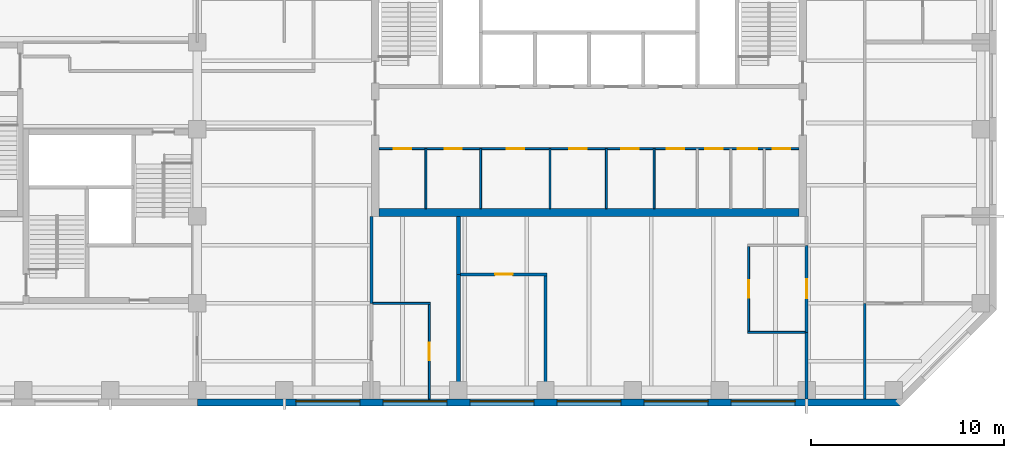
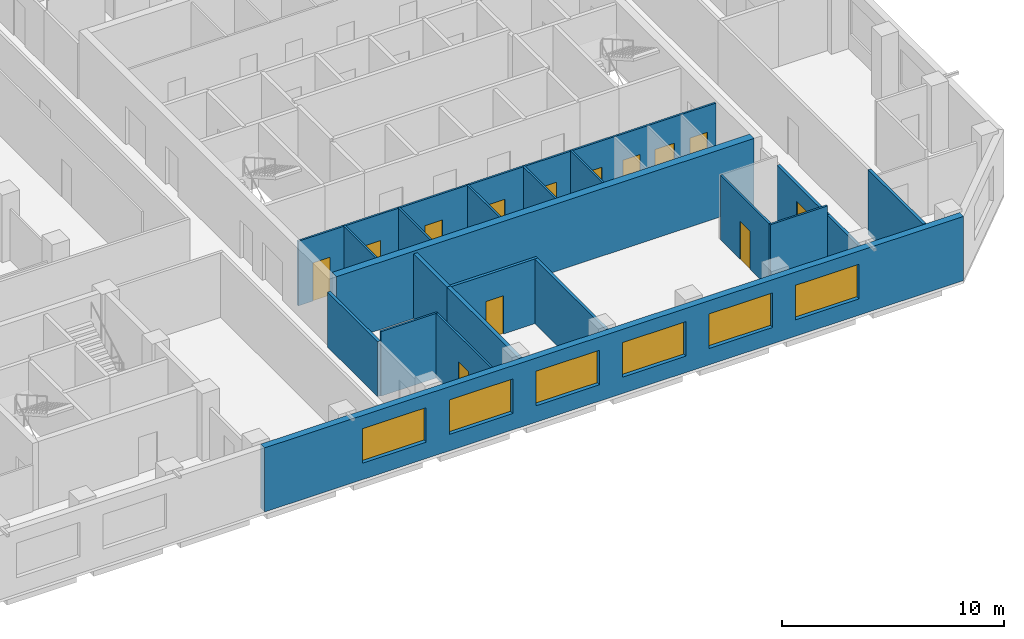
# One storey, part 4 of 9: 20 walls, 13 doors, 6 windows, 19 openings.
"""IFC4 building model written with IfcOpenShell, lengths in metres."""

from ifc_helpers import new_model, si_unit, direction, frame, frame_2d, origin, place, context, subcontext, project, spatial, rectangle, extrude, material, layer, layer_set, constituent, constituent_set, type_object, element, fill, save


model = new_model("IFC4")

# Units and contexts
model_context = context("Model", 3, precision=1e-05, world=origin(), true_north=direction((0.0, 1.0)))
body_context = subcontext(model_context, "Body", "Model", "MODEL_VIEW")
ifc_project = project(units=[si_unit("LENGTHUNIT", "METRE"), si_unit("AREAUNIT", "SQUARE_METRE"), si_unit("VOLUMEUNIT", "CUBIC_METRE"), si_unit("PLANEANGLEUNIT", "RADIAN"), si_unit("MASSUNIT", "GRAM", prefix="KILO")], contexts=[model_context])

# Site, building, storey
site_placement = place(None, origin())
site = spatial("IfcSite", under=ifc_project, at=site_placement, CompositionType="ELEMENT")
building_placement = place(site_placement, origin())
building = spatial("IfcBuilding", under=site, at=building_placement, Name="Quoin Convention Tower", CompositionType="ELEMENT")
storey_placement = place(building_placement, frame((0.0, 0.0, 230.39990234375)))
storey = spatial("IfcBuildingStorey", under=building, at=storey_placement, Name="L60", CompositionType="ELEMENT", Elevation=230.39990234375)

# Wall, opening, door
ifc_material_1 = material(Name="Plasterboard")
ifc_layer_1 = layer(ifc_material_1, 0.012451171875, Name="Finish")
ifc_material_2 = material(Name="Steel stud framing", Category="steel")
ifc_layer_2 = layer(ifc_material_2, 0.125, Name="Structure")
ifc_layer_3 = layer(ifc_material_1, 0.012451171875, Name="Finish")
ifc_layer_set_1 = layer_set([ifc_layer_1, ifc_layer_2, ifc_layer_3], Name="Steel stud framing")
wall_type_1 = type_object("IfcWallType", Name="Acoustic partition 150", PredefinedType="PARTITIONING", material=ifc_layer_set_1)
wall_1_placement = place(storey_placement, frame((49.60009765625, 46.5, 0.0), z_axis=(0.0, 0.0, 1.0), x_axis=(1.0, 0.0, 0.0)))
wall_1 = element("IfcWall", 1, at=wall_1_placement, inside=storey, type_object=wall_type_1, Name="pw-L60-009", PredefinedType="PARTITIONING", context=body_context, shape_type="SweptSolid", body=[
    extrude(rectangle(XDim=4.474853515625, YDim=0.14990234375, at=frame_2d((2.2373046875, 0.0))), origin(), (0.0, 0.0, 1.0), 3.550048828125),
])
opening_1_placement = place(wall_1_placement, frame((1.800048828125, 0.0, 0.0)))
opening_1 = element("IfcOpeningElement", 2, at=opening_1_placement, cuts=wall_1, Name="Opening DOH10-02", PredefinedType="OPENING", context=body_context, shape_type="SweptSolid", body=[
    extrude(rectangle(XDim=0.89990234375, YDim=2.10009765625, at=frame_2d((0.449951171875, 1.050048828125))), frame((0.0, 0.0849609375, 0.0), z_axis=(0.0, -1.0, 0.0), x_axis=(1.0, 0.0, 0.0)), (0.0, 0.0, 1.0), 0.169921875),
])
ifc_material_3 = material(Name="Steel door leaf", Category="steel")
door_type_1 = type_object("IfcDoorType", Name="Office door 900 x 2100", OperationType="SINGLE_SWING_RIGHT", PredefinedType="DOOR", material=ifc_material_3)
door_1_placement = place(opening_1_placement, origin())
door_1 = element("IfcDoor", 3, at=door_1_placement, inside=storey, type_object=door_type_1, Name="dr-L60-14", OperationType="SINGLE_SWING_RIGHT", OverallHeight=2.10009765625, OverallWidth=0.89990234375, PredefinedType="DOOR", context=body_context, shape_type="SweptSolid", body=[
    extrude(rectangle(XDim=0.89990234375, YDim=2.10009765625, at=frame_2d((0.449951171875, 1.050048828125))), frame((0.0, 0.02490234375, 0.0), z_axis=(0.0, -1.0, 0.0), x_axis=(1.0, 0.0, 0.0)), (0.0, 0.0, 1.0), 0.050048828125),
])
fill(opening_1, door_1)

# Wall
wall_2_placement = place(storey_placement, frame((54.0, 40.050048828125, 0.0), z_axis=(0.0, 0.0, 1.0), x_axis=(0.0, 1.0, 0.0)))
element("IfcWall", 4, at=wall_2_placement, inside=storey, type_object=wall_type_1, Name="pw-L60-039", PredefinedType="PARTITIONING", context=body_context, shape_type="SweptSolid", body=[
    extrude(rectangle(XDim=6.375, YDim=0.14990234375, at=frame_2d((3.1875, 0.0))), origin(), (0.0, 0.0, 1.0), 3.550048828125),
])

# Wall, openings, windows
ifc_material_4 = material(Name="Brick masonry", Category="masonry")
ifc_layer_4 = layer(ifc_material_4, 0.35009765625)
ifc_layer_set_2 = layer_set([ifc_layer_4], Name="Brick masonry")
wall_type_2 = type_object("IfcWallType", Name="Brick facade wall", PredefinedType="STANDARD", material=ifc_layer_set_2)
wall_3_placement = place(storey_placement, frame((36.0, 39.875, 0.0), z_axis=(0.0, 0.0, 1.0), x_axis=(1.0, 0.0, 0.0)))
wall_3 = element("IfcWall", 5, at=wall_3_placement, inside=storey, type_object=wall_type_2, Name="fw-L60-36000_40500", PredefinedType="STANDARD", context=body_context, shape_type="SweptSolid", body=[
    extrude(rectangle(XDim=36.331298828125, YDim=0.35009765625, at=frame_2d((18.16552734375, 0.0))), origin(), (0.0, 0.0, 1.0), 3.525146484375),
])
opening_2_placement = place(wall_3_placement, frame((5.10009765625, 0.0, 0.89990234375)))
opening_2 = element("IfcOpeningElement", 6, at=opening_2_placement, cuts=wall_3, Name="Opening W-02", PredefinedType="OPENING", context=body_context, shape_type="SweptSolid", body=[
    extrude(rectangle(XDim=3.300048828125, YDim=1.89990234375, at=frame_2d((1.64990234375, 0.949951171875))), frame((0.0, 0.18505859375, 0.0), z_axis=(0.0, -1.0, 0.0), x_axis=(1.0, 0.0, 0.0)), (0.0, 0.0, 1.0), 0.3701171875),
])
opening_3_placement = place(wall_3_placement, frame((9.60009765625, 0.0, 0.89990234375)))
opening_3 = element("IfcOpeningElement", 7, at=opening_3_placement, cuts=wall_3, Name="Opening W-02", PredefinedType="OPENING", context=body_context, shape_type="SweptSolid", body=[
    extrude(rectangle(XDim=3.300048828125, YDim=1.89990234375, at=frame_2d((1.64990234375, 0.949951171875))), frame((0.0, 0.18505859375, 0.0), z_axis=(0.0, -1.0, 0.0), x_axis=(1.0, 0.0, 0.0)), (0.0, 0.0, 1.0), 0.3701171875),
])
opening_4_placement = place(wall_3_placement, frame((14.10009765625, 0.0, 0.89990234375)))
opening_4 = element("IfcOpeningElement", 8, at=opening_4_placement, cuts=wall_3, Name="Opening W-02", PredefinedType="OPENING", context=body_context, shape_type="SweptSolid", body=[
    extrude(rectangle(XDim=3.300048828125, YDim=1.89990234375, at=frame_2d((1.64990234375, 0.949951171875))), frame((0.0, 0.18505859375, 0.0), z_axis=(0.0, -1.0, 0.0), x_axis=(1.0, 0.0, 0.0)), (0.0, 0.0, 1.0), 0.3701171875),
])
opening_5_placement = place(wall_3_placement, frame((18.60009765625, 0.0, 0.89990234375)))
opening_5 = element("IfcOpeningElement", 9, at=opening_5_placement, cuts=wall_3, Name="Opening W-02", PredefinedType="OPENING", context=body_context, shape_type="SweptSolid", body=[
    extrude(rectangle(XDim=3.300048828125, YDim=1.89990234375, at=frame_2d((1.64990234375, 0.949951171875))), frame((0.0, 0.18505859375, 0.0), z_axis=(0.0, -1.0, 0.0), x_axis=(1.0, 0.0, 0.0)), (0.0, 0.0, 1.0), 0.3701171875),
])
opening_6_placement = place(wall_3_placement, frame((23.10009765625, 0.0, 0.89990234375)))
opening_6 = element("IfcOpeningElement", 10, at=opening_6_placement, cuts=wall_3, Name="Opening W-02", PredefinedType="OPENING", context=body_context, shape_type="SweptSolid", body=[
    extrude(rectangle(XDim=3.300048828125, YDim=1.89990234375, at=frame_2d((1.64990234375, 0.949951171875))), frame((0.0, 0.18505859375, 0.0), z_axis=(0.0, -1.0, 0.0), x_axis=(1.0, 0.0, 0.0)), (0.0, 0.0, 1.0), 0.3701171875),
])
opening_7_placement = place(wall_3_placement, frame((27.60009765625, 0.0, 0.89990234375)))
opening_7 = element("IfcOpeningElement", 11, at=opening_7_placement, cuts=wall_3, Name="Opening W-02", PredefinedType="OPENING", context=body_context, shape_type="SweptSolid", body=[
    extrude(rectangle(XDim=3.300048828125, YDim=1.89990234375, at=frame_2d((1.64990234375, 0.949951171875))), frame((0.0, 0.18505859375, 0.0), z_axis=(0.0, -1.0, 0.0), x_axis=(1.0, 0.0, 0.0)), (0.0, 0.0, 1.0), 0.3701171875),
])
ifc_material_5 = material(Name="Aluminium", Category="aluminium")
ifc_constituent_1 = constituent(ifc_material_5, Name="Frame")
ifc_material_6 = material(Name="Insulated glass", Category="glass")
ifc_constituent_2 = constituent(ifc_material_6, Name="Glazing")
ifc_constituent_set = constituent_set(constituents=[ifc_constituent_1, ifc_constituent_2], Name="Aluminium")
window_type = type_object("IfcWindowType", Name="Office window", PartitioningType="DOUBLE_PANEL_VERTICAL", PredefinedType="WINDOW", material=ifc_constituent_set)
window_1_placement = place(opening_2_placement, origin())
window_1 = element("IfcWindow", 12, at=window_1_placement, inside=storey, type_object=window_type, Name="win-L60-42750_39875", OverallHeight=1.89990234375, OverallWidth=3.300048828125, PartitioningType="SINGLE_PANEL", PredefinedType="WINDOW", context=body_context, shape_type="SweptSolid", body=[
    extrude(rectangle(XDim=3.300048828125, YDim=1.89990234375, at=frame_2d((1.64990234375, 0.949951171875))), frame((0.0, 0.0849609375, 0.0), z_axis=(0.0, -1.0, 0.0), x_axis=(1.0, 0.0, 0.0)), (0.0, 0.0, 1.0), 0.06005859375),
])
fill(opening_2, window_1)
window_2_placement = place(opening_3_placement, origin())
window_2 = element("IfcWindow", 13, at=window_2_placement, inside=storey, type_object=window_type, Name="win-L60-47250_39875", OverallHeight=1.89990234375, OverallWidth=3.300048828125, PartitioningType="SINGLE_PANEL", PredefinedType="WINDOW", context=body_context, shape_type="SweptSolid", body=[
    extrude(rectangle(XDim=3.300048828125, YDim=1.89990234375, at=frame_2d((1.64990234375, 0.949951171875))), frame((0.0, 0.0849609375, 0.0), z_axis=(0.0, -1.0, 0.0), x_axis=(1.0, 0.0, 0.0)), (0.0, 0.0, 1.0), 0.06005859375),
])
fill(opening_3, window_2)
window_3_placement = place(opening_4_placement, origin())
window_3 = element("IfcWindow", 14, at=window_3_placement, inside=storey, type_object=window_type, Name="win-L60-51750_39875", OverallHeight=1.89990234375, OverallWidth=3.300048828125, PartitioningType="SINGLE_PANEL", PredefinedType="WINDOW", context=body_context, shape_type="SweptSolid", body=[
    extrude(rectangle(XDim=3.300048828125, YDim=1.89990234375, at=frame_2d((1.64990234375, 0.949951171875))), frame((0.0, 0.0849609375, 0.0), z_axis=(0.0, -1.0, 0.0), x_axis=(1.0, 0.0, 0.0)), (0.0, 0.0, 1.0), 0.06005859375),
])
fill(opening_4, window_3)
window_4_placement = place(opening_5_placement, origin())
window_4 = element("IfcWindow", 15, at=window_4_placement, inside=storey, type_object=window_type, Name="win-L60-56250_39875", OverallHeight=1.89990234375, OverallWidth=3.300048828125, PartitioningType="SINGLE_PANEL", PredefinedType="WINDOW", context=body_context, shape_type="SweptSolid", body=[
    extrude(rectangle(XDim=3.300048828125, YDim=1.89990234375, at=frame_2d((1.64990234375, 0.949951171875))), frame((0.0, 0.0849609375, 0.0), z_axis=(0.0, -1.0, 0.0), x_axis=(1.0, 0.0, 0.0)), (0.0, 0.0, 1.0), 0.06005859375),
])
fill(opening_5, window_4)
window_5_placement = place(opening_6_placement, origin())
window_5 = element("IfcWindow", 16, at=window_5_placement, inside=storey, type_object=window_type, Name="win-L60-60750_39875", OverallHeight=1.89990234375, OverallWidth=3.300048828125, PartitioningType="SINGLE_PANEL", PredefinedType="WINDOW", context=body_context, shape_type="SweptSolid", body=[
    extrude(rectangle(XDim=3.300048828125, YDim=1.89990234375, at=frame_2d((1.64990234375, 0.949951171875))), frame((0.0, 0.0849609375, 0.0), z_axis=(0.0, -1.0, 0.0), x_axis=(1.0, 0.0, 0.0)), (0.0, 0.0, 1.0), 0.06005859375),
])
fill(opening_6, window_5)
window_6_placement = place(opening_7_placement, origin())
window_6 = element("IfcWindow", 17, at=window_6_placement, inside=storey, type_object=window_type, Name="win-L60-65250_39875", OverallHeight=1.89990234375, OverallWidth=3.300048828125, PartitioningType="SINGLE_PANEL", PredefinedType="WINDOW", context=body_context, shape_type="SweptSolid", body=[
    extrude(rectangle(XDim=3.300048828125, YDim=1.89990234375, at=frame_2d((1.64990234375, 0.949951171875))), frame((0.0, 0.0849609375, 0.0), z_axis=(0.0, -1.0, 0.0), x_axis=(1.0, 0.0, 0.0)), (0.0, 0.0, 1.0), 0.06005859375),
])
fill(opening_7, window_6)

# Wall, openings, doors
ifc_layer_5 = layer(ifc_material_1, 0.012451171875, Name="Finish")
ifc_layer_6 = layer(ifc_material_2, 0.074951171875, Name="Structure")
ifc_layer_7 = layer(ifc_material_1, 0.012451171875, Name="Finish")
ifc_layer_set_3 = layer_set([ifc_layer_5, ifc_layer_6, ifc_layer_7], Name="Steel stud framing")
wall_type_3 = type_object("IfcWallType", Name="Core partition wall", PredefinedType="PARTITIONING", material=ifc_layer_set_3)
wall_4_placement = place(storey_placement, frame((45.39990234375, 53.0, 0.0), z_axis=(0.0, 0.0, 1.0), x_axis=(1.0, 0.0, 0.0)))
wall_4 = element("IfcWall", 18, at=wall_4_placement, inside=storey, type_object=wall_type_3, Name="cr-C1-L60-h3500_400", PredefinedType="PARTITIONING", context=body_context, shape_type="SweptSolid", body=[
    extrude(rectangle(XDim=21.7001953125, YDim=0.10009765625, at=frame_2d((10.85009765625, 0.0))), origin(), (0.0, 0.0, 1.0), 3.550048828125),
])
opening_8_placement = place(wall_4_placement, frame((20.357421875, 0.0, 0.0)))
opening_8 = element("IfcOpeningElement", 19, at=opening_8_placement, cuts=wall_4, Name="Opening DCV2-32", PredefinedType="OPENING", context=body_context, shape_type="SweptSolid", body=[
    extrude(rectangle(XDim=0.89990234375, YDim=2.10009765625, at=frame_2d((0.449951171875, 1.050048828125))), frame((0.0, 0.06005859375, 0.0), z_axis=(0.0, -1.0, 0.0), x_axis=(1.0, 0.0, 0.0)), (0.0, 0.0, 1.0), 0.1201171875),
])
opening_9_placement = place(wall_4_placement, frame((18.548828125, 0.0, 0.0)))
opening_9 = element("IfcOpeningElement", 20, at=opening_9_placement, cuts=wall_4, Name="Opening DCV2-31", PredefinedType="OPENING", context=body_context, shape_type="SweptSolid", body=[
    extrude(rectangle(XDim=1.0, YDim=2.10009765625, at=frame_2d((0.5, 1.050048828125))), frame((0.0, 0.06005859375, 0.0), z_axis=(0.0, -1.0, 0.0), x_axis=(1.0, 0.0, 0.0)), (0.0, 0.0, 1.0), 0.1201171875),
])
opening_10_placement = place(wall_4_placement, frame((16.8662109375, 0.0, 0.0)))
opening_10 = element("IfcOpeningElement", 21, at=opening_10_placement, cuts=wall_4, Name="Opening DCV2-30", PredefinedType="OPENING", context=body_context, shape_type="SweptSolid", body=[
    extrude(rectangle(XDim=0.89990234375, YDim=2.10009765625, at=frame_2d((0.449951171875, 1.050048828125))), frame((0.0, 0.06005859375, 0.0), z_axis=(0.0, -1.0, 0.0), x_axis=(1.0, 0.0, 0.0)), (0.0, 0.0, 1.0), 0.1201171875),
])
opening_11_placement = place(wall_4_placement, frame((0.757568359375, 0.0, 0.0)))
opening_11 = element("IfcOpeningElement", 22, at=opening_11_placement, cuts=wall_4, Name="Opening DCV2-22", PredefinedType="OPENING", context=body_context, shape_type="SweptSolid", body=[
    extrude(rectangle(XDim=0.89990234375, YDim=2.10009765625, at=frame_2d((0.449951171875, 1.050048828125))), frame((0.0, 0.06005859375, 0.0), z_axis=(0.0, -1.0, 0.0), x_axis=(1.0, 0.0, 0.0)), (0.0, 0.0, 1.0), 0.1201171875),
])
opening_12_placement = place(wall_4_placement, frame((3.382568359375, 0.0, 0.0)))
opening_12 = element("IfcOpeningElement", 23, at=opening_12_placement, cuts=wall_4, Name="Opening DCV2-23", PredefinedType="OPENING", context=body_context, shape_type="SweptSolid", body=[
    extrude(rectangle(XDim=0.89990234375, YDim=2.10009765625, at=frame_2d((0.449951171875, 1.050048828125))), frame((0.0, 0.06005859375, 0.0), z_axis=(0.0, -1.0, 0.0), x_axis=(1.0, 0.0, 0.0)), (0.0, 0.0, 1.0), 0.1201171875),
])
opening_13_placement = place(wall_4_placement, frame((6.592041015625, 0.0, 0.0)))
opening_13 = element("IfcOpeningElement", 24, at=opening_13_placement, cuts=wall_4, Name="Opening DCV2-24", PredefinedType="OPENING", context=body_context, shape_type="SweptSolid", body=[
    extrude(rectangle(XDim=0.89990234375, YDim=2.10009765625, at=frame_2d((0.449951171875, 1.050048828125))), frame((0.0, 0.06005859375, 0.0), z_axis=(0.0, -1.0, 0.0), x_axis=(1.0, 0.0, 0.0)), (0.0, 0.0, 1.0), 0.1201171875),
])
opening_14_placement = place(wall_4_placement, frame((9.840087890625, 0.0, 0.0)))
opening_14 = element("IfcOpeningElement", 25, at=opening_14_placement, cuts=wall_4, Name="Opening DCV2-26", PredefinedType="OPENING", context=body_context, shape_type="SweptSolid", body=[
    extrude(rectangle(XDim=0.89990234375, YDim=2.10009765625, at=frame_2d((0.449951171875, 1.050048828125))), frame((0.0, 0.06005859375, 0.0), z_axis=(0.0, -1.0, 0.0), x_axis=(1.0, 0.0, 0.0)), (0.0, 0.0, 1.0), 0.1201171875),
])
opening_15_placement = place(wall_4_placement, frame((12.528076171875, 0.0, 0.0)))
opening_15 = element("IfcOpeningElement", 26, at=opening_15_placement, cuts=wall_4, Name="Opening DCV2-27", PredefinedType="OPENING", context=body_context, shape_type="SweptSolid", body=[
    extrude(rectangle(XDim=0.89990234375, YDim=2.10009765625, at=frame_2d((0.449951171875, 1.050048828125))), frame((0.0, 0.06005859375, 0.0), z_axis=(0.0, -1.0, 0.0), x_axis=(1.0, 0.0, 0.0)), (0.0, 0.0, 1.0), 0.1201171875),
])
opening_16_placement = place(wall_4_placement, frame((14.8798828125, 0.0, 0.0)))
opening_16 = element("IfcOpeningElement", 27, at=opening_16_placement, cuts=wall_4, Name="Opening DCV2-29", PredefinedType="OPENING", context=body_context, shape_type="SweptSolid", body=[
    extrude(rectangle(XDim=0.89990234375, YDim=2.10009765625, at=frame_2d((0.449951171875, 1.050048828125))), frame((0.0, 0.06005859375, 0.0), z_axis=(0.0, -1.0, 0.0), x_axis=(1.0, 0.0, 0.0)), (0.0, 0.0, 1.0), 0.1201171875),
])
door_type_2 = type_object("IfcDoorType", Name="Core room door 1000 x 2100", OperationType="SINGLE_SWING_LEFT", PredefinedType="DOOR", material=ifc_material_3)
door_2_placement = place(opening_9_placement, frame((1.0, 0.0, 0.0), z_axis=(0.0, 0.0, 1.0), x_axis=(-1.0, 0.0, 0.0)))
door_2 = element("IfcDoor", 28, at=door_2_placement, inside=storey, type_object=door_type_2, Name="cd-C1-L60-CSE1-lobA-CD6011", OperationType="SINGLE_SWING_LEFT", OverallHeight=2.10009765625, OverallWidth=1.0, PredefinedType="DOOR", context=body_context, shape_type="SweptSolid", body=[
    extrude(rectangle(XDim=1.0, YDim=2.10009765625, at=frame_2d((0.5, 1.050048828125))), frame((0.0, 0.02490234375, 0.0), z_axis=(0.0, -1.0, 0.0), x_axis=(1.0, 0.0, 0.0)), (0.0, 0.0, 1.0), 0.050048828125),
])
fill(opening_9, door_2)
door_type_3 = type_object("IfcDoorType", Name="Core room door 900 x 2100", OperationType="SINGLE_SWING_LEFT", PredefinedType="DOOR", material=ifc_material_3)
door_3_placement = place(opening_8_placement, frame((0.89990234375, 0.0, 0.0), z_axis=(0.0, 0.0, 1.0), x_axis=(-1.0, 0.0, 0.0)))
door_3 = element("IfcDoor", 29, at=door_3_placement, inside=storey, type_object=door_type_3, Name="cd-C1-L60-CSE0-lobA-CD6010", OperationType="SINGLE_SWING_LEFT", OverallHeight=2.10009765625, OverallWidth=0.89990234375, PredefinedType="DOOR", context=body_context, shape_type="SweptSolid", body=[
    extrude(rectangle(XDim=0.89990234375, YDim=2.10009765625, at=frame_2d((0.449951171875, 1.050048828125))), frame((0.0, 0.02490234375, 0.0), z_axis=(0.0, -1.0, 0.0), x_axis=(1.0, 0.0, 0.0)), (0.0, 0.0, 1.0), 0.050048828125),
])
fill(opening_8, door_3)
door_4_placement = place(opening_10_placement, frame((0.89990234375, 0.0, 0.0), z_axis=(0.0, 0.0, 1.0), x_axis=(-1.0, 0.0, 0.0)))
door_4 = element("IfcDoor", 30, at=door_4_placement, inside=storey, type_object=door_type_3, Name="cd-C1-L60-CSE2-lobA-CD6012", OperationType="SINGLE_SWING_LEFT", OverallHeight=2.10009765625, OverallWidth=0.89990234375, PredefinedType="DOOR", context=body_context, shape_type="SweptSolid", body=[
    extrude(rectangle(XDim=0.89990234375, YDim=2.10009765625, at=frame_2d((0.449951171875, 1.050048828125))), frame((0.0, 0.02490234375, 0.0), z_axis=(0.0, -1.0, 0.0), x_axis=(1.0, 0.0, 0.0)), (0.0, 0.0, 1.0), 0.050048828125),
])
fill(opening_10, door_4)
door_5_placement = place(opening_11_placement, frame((0.89990234375, 0.0, 0.0), z_axis=(0.0, 0.0, 1.0), x_axis=(-1.0, 0.0, 0.0)))
door_5 = element("IfcDoor", 31, at=door_5_placement, inside=storey, type_object=door_type_3, Name="cd-C1-L60-CSW0-lobA-CD6013", OperationType="SINGLE_SWING_LEFT", OverallHeight=2.10009765625, OverallWidth=0.89990234375, PredefinedType="DOOR", context=body_context, shape_type="SweptSolid", body=[
    extrude(rectangle(XDim=0.89990234375, YDim=2.10009765625, at=frame_2d((0.449951171875, 1.050048828125))), frame((0.0, 0.02490234375, 0.0), z_axis=(0.0, -1.0, 0.0), x_axis=(1.0, 0.0, 0.0)), (0.0, 0.0, 1.0), 0.050048828125),
])
fill(opening_11, door_5)
door_6_placement = place(opening_12_placement, frame((0.89990234375, 0.0, 0.0), z_axis=(0.0, 0.0, 1.0), x_axis=(-1.0, 0.0, 0.0)))
door_6 = element("IfcDoor", 32, at=door_6_placement, inside=storey, type_object=door_type_3, Name="cd-C1-L60-CSW1-lobA-CD6014", OperationType="SINGLE_SWING_LEFT", OverallHeight=2.10009765625, OverallWidth=0.89990234375, PredefinedType="DOOR", context=body_context, shape_type="SweptSolid", body=[
    extrude(rectangle(XDim=0.89990234375, YDim=2.10009765625, at=frame_2d((0.449951171875, 1.050048828125))), frame((0.0, 0.02490234375, 0.0), z_axis=(0.0, -1.0, 0.0), x_axis=(1.0, 0.0, 0.0)), (0.0, 0.0, 1.0), 0.050048828125),
])
fill(opening_12, door_6)
door_7_placement = place(opening_13_placement, frame((0.89990234375, 0.0, 0.0), z_axis=(0.0, 0.0, 1.0), x_axis=(-1.0, 0.0, 0.0)))
door_7 = element("IfcDoor", 33, at=door_7_placement, inside=storey, type_object=door_type_3, Name="cd-C1-L60-F10-lobA-CD6015", OperationType="SINGLE_SWING_LEFT", OverallHeight=2.10009765625, OverallWidth=0.89990234375, PredefinedType="DOOR", context=body_context, shape_type="SweptSolid", body=[
    extrude(rectangle(XDim=0.89990234375, YDim=2.10009765625, at=frame_2d((0.449951171875, 1.050048828125))), frame((0.0, 0.02490234375, 0.0), z_axis=(0.0, -1.0, 0.0), x_axis=(1.0, 0.0, 0.0)), (0.0, 0.0, 1.0), 0.050048828125),
])
fill(opening_13, door_7)
door_8_placement = place(opening_14_placement, frame((0.89990234375, 0.0, 0.0), z_axis=(0.0, 0.0, 1.0), x_axis=(-1.0, 0.0, 0.0)))
door_8 = element("IfcDoor", 34, at=door_8_placement, inside=storey, type_object=door_type_3, Name="cd-C1-L60-F11-lobA-CD6016", OperationType="SINGLE_SWING_LEFT", OverallHeight=2.10009765625, OverallWidth=0.89990234375, PredefinedType="DOOR", context=body_context, shape_type="SweptSolid", body=[
    extrude(rectangle(XDim=0.89990234375, YDim=2.10009765625, at=frame_2d((0.449951171875, 1.050048828125))), frame((0.0, 0.02490234375, 0.0), z_axis=(0.0, -1.0, 0.0), x_axis=(1.0, 0.0, 0.0)), (0.0, 0.0, 1.0), 0.050048828125),
])
fill(opening_14, door_8)
door_9_placement = place(opening_15_placement, frame((0.89990234375, 0.0, 0.0), z_axis=(0.0, 0.0, 1.0), x_axis=(-1.0, 0.0, 0.0)))
door_9 = element("IfcDoor", 35, at=door_9_placement, inside=storey, type_object=door_type_3, Name="cd-C1-L60-F12-lobA-CD6017", OperationType="SINGLE_SWING_LEFT", OverallHeight=2.10009765625, OverallWidth=0.89990234375, PredefinedType="DOOR", context=body_context, shape_type="SweptSolid", body=[
    extrude(rectangle(XDim=0.89990234375, YDim=2.10009765625, at=frame_2d((0.449951171875, 1.050048828125))), frame((0.0, 0.02490234375, 0.0), z_axis=(0.0, -1.0, 0.0), x_axis=(1.0, 0.0, 0.0)), (0.0, 0.0, 1.0), 0.050048828125),
])
fill(opening_15, door_9)
door_10_placement = place(opening_16_placement, frame((0.89990234375, 0.0, 0.0), z_axis=(0.0, 0.0, 1.0), x_axis=(-1.0, 0.0, 0.0)))
door_10 = element("IfcDoor", 36, at=door_10_placement, inside=storey, type_object=door_type_3, Name="cd-C1-L60-F13-lobA-CD6018", OperationType="SINGLE_SWING_LEFT", OverallHeight=2.10009765625, OverallWidth=0.89990234375, PredefinedType="DOOR", context=body_context, shape_type="SweptSolid", body=[
    extrude(rectangle(XDim=0.89990234375, YDim=2.10009765625, at=frame_2d((0.449951171875, 1.050048828125))), frame((0.0, 0.02490234375, 0.0), z_axis=(0.0, -1.0, 0.0), x_axis=(1.0, 0.0, 0.0)), (0.0, 0.0, 1.0), 0.050048828125),
])
fill(opening_16, door_10)

# Walls
for number, where, z_axis, x_axis, name in (
    (37, (47.81494140625, 49.89990234375, 0.0), (0.0, 0.0, 1.0), (0.0, 1.0, 0.0), "cr-C1-L60-v2815_400"),
    (38, (50.64990234375, 49.89990234375, 0.0), (0.0, 0.0, 1.0), (0.0, 1.0, 0.0), "cr-C1-L60-v5650_400"),
    (39, (54.23388671875, 49.89990234375, 0.0), (0.0, 0.0, 1.0), (0.0, 1.0, 0.0), "cr-C1-L60-v9234_400"),
    (40, (57.14599609375, 49.89990234375, 0.0), (0.0, 0.0, 1.0), (0.0, 1.0, 0.0), "cr-C1-L60-v12146_400"),
    (41, (59.610107421875, 49.89990234375, 0.0), (0.0, 0.0, 1.0), (0.0, 1.0, 0.0), "cr-C1-L60-v14610_400"),
):
    element("IfcWall", number, at=place(storey_placement, frame(where, z_axis=z_axis, x_axis=x_axis)), inside=storey, type_object=wall_type_3, Name=name, PredefinedType="PARTITIONING", context=body_context, shape_type="SweptSolid", body=[
        extrude(rectangle(XDim=3.10009765625, YDim=0.10009765625, at=frame_2d((1.550048828125, 0.0))), origin(), (0.0, 0.0, 1.0), 3.550048828125),
    ])
ifc_layer_8 = layer(ifc_material_1, 0.012451171875, Name="Finish")
ifc_layer_9 = layer(ifc_material_2, 0.125, Name="Structure")
ifc_layer_10 = layer(ifc_material_1, 0.012451171875, Name="Finish")
ifc_layer_set_4 = layer_set([ifc_layer_8, ifc_layer_9, ifc_layer_10], Name="Steel stud framing")
wall_type_4 = type_object("IfcWallType", Name="Corridor wall 150", PredefinedType="PARTITIONING", material=ifc_layer_set_4)
wall_5_placement = place(storey_placement, frame((70.5, 40.050048828125, 0.0), z_axis=(0.0, 0.0, 1.0), x_axis=(0.0, 1.0, 0.0)))
element("IfcWall", 42, at=wall_5_placement, inside=storey, type_object=wall_type_4, Name="pw-L60-041", PredefinedType="PARTITIONING", context=body_context, shape_type="SweptSolid", body=[
    extrude(rectangle(XDim=4.949951171875, YDim=0.14990234375, at=frame_2d((2.47509765625, 0.0))), origin(), (0.0, 0.0, 1.0), 3.550048828125),
])
ifc_layer_11 = layer(ifc_material_1, 0.012451171875, Name="Finish")
ifc_layer_12 = layer(ifc_material_2, 0.125, Name="Structure")
ifc_layer_13 = layer(ifc_material_1, 0.012451171875, Name="Finish")
ifc_layer_set_5 = layer_set([ifc_layer_11, ifc_layer_12, ifc_layer_13], Name="Steel stud framing")
wall_type_5 = type_object("IfcWallType", Name="Corridor wall 150 under beam 528", PredefinedType="PARTITIONING", material=ifc_layer_set_5)
wall_6_placement = place(storey_placement, frame((67.5, 40.050048828125, 0.0), z_axis=(0.0, 0.0, 1.0), x_axis=(0.0, 1.0, 0.0)))
element("IfcWall", 43, at=wall_6_placement, inside=storey, type_object=wall_type_5, Name="pw-L60-040", PredefinedType="PARTITIONING", context=body_context, shape_type="SweptSolid", body=[
    extrude(rectangle(XDim=3.449951171875, YDim=0.14990234375, at=frame_2d((1.72509765625, 0.0))), origin(), (0.0, 0.0, 1.0), 3.022216796875),
])

# Wall, opening, door
wall_7_placement = place(storey_placement, frame((67.5, 43.5, 0.0), z_axis=(0.0, 0.0, 1.0), x_axis=(0.0, 1.0, 0.0)))
wall_7 = element("IfcWall", 44, at=wall_7_placement, inside=storey, type_object=wall_type_5, Name="pw-L60-044", PredefinedType="PARTITIONING", context=body_context, shape_type="SweptSolid", body=[
    extrude(rectangle(XDim=4.5, YDim=0.14990234375, at=frame_2d((2.25, 0.0))), origin(), (0.0, 0.0, 1.0), 3.022216796875),
])
opening_17_placement = place(wall_7_placement, frame((1.75, 0.0, 0.0)))
opening_17 = element("IfcOpeningElement", 45, at=opening_17_placement, cuts=wall_7, Name="Opening DOH10-11", PredefinedType="OPENING", context=body_context, shape_type="SweptSolid", body=[
    extrude(rectangle(XDim=1.0, YDim=2.10009765625, at=frame_2d((0.5, 1.050048828125))), frame((0.0, 0.0849609375, 0.0), z_axis=(0.0, -1.0, 0.0), x_axis=(1.0, 0.0, 0.0)), (0.0, 0.0, 1.0), 0.169921875),
])
door_type_4 = type_object("IfcDoorType", Name="Tenancy entrance door 1000 x 2100", OperationType="DOUBLE_DOOR_SINGLE_SWING", PredefinedType="DOOR", material=ifc_material_3)
door_11_placement = place(opening_17_placement, origin())
door_11 = element("IfcDoor", 46, at=door_11_placement, inside=storey, type_object=door_type_4, Name="dr-L60-12", OperationType="DOUBLE_DOOR_SINGLE_SWING", OverallHeight=2.10009765625, OverallWidth=1.0, PredefinedType="DOOR", context=body_context, shape_type="SweptSolid", body=[
    extrude(rectangle(XDim=1.0, YDim=2.10009765625, at=frame_2d((0.5, 1.050048828125))), frame((0.0, 0.02490234375, 0.0), z_axis=(0.0, -1.0, 0.0), x_axis=(1.0, 0.0, 0.0)), (0.0, 0.0, 1.0), 0.050048828125),
])
fill(opening_17, door_11)

# Walls
wall_8_placement = place(storey_placement, frame((45.0, 45.0, 0.0), z_axis=(0.0, 0.0, 1.0), x_axis=(0.0, 1.0, 0.0)))
element("IfcWall", 47, at=wall_8_placement, inside=storey, type_object=wall_type_5, Name="pw-L60-047", PredefinedType="PARTITIONING", context=body_context, shape_type="SweptSolid", body=[
    extrude(rectangle(XDim=4.5, YDim=0.14990234375, at=frame_2d((2.25, 0.0))), origin(), (0.0, 0.0, 1.0), 3.022216796875),
])
ifc_material_7 = material(Name="Concrete C50", Category="concrete")
ifc_layer_14 = layer(ifc_material_7, 0.39990234375)
ifc_layer_set_6 = layer_set([ifc_layer_14], Name="Concrete C50")
wall_type_6 = type_object("IfcWallType", Name="RC CORE WALL 400 C50", PredefinedType="SHEAR", material=ifc_layer_set_6)
wall_9_placement = place(storey_placement, frame((45.39990234375, 49.699951171875, 0.0), z_axis=(0.0, 0.0, 1.0), x_axis=(1.0, 0.0, 0.0)))
element("IfcWall", 48, at=wall_9_placement, inside=storey, type_object=wall_type_6, Name="cwl-C1-L60-S", PredefinedType="SHEAR", context=body_context, shape_type="SweptSolid", body=[
    extrude(rectangle(XDim=21.7001953125, YDim=0.39990234375, at=frame_2d((10.85009765625, 0.0))), origin(), (0.0, 0.0, 1.0), 3.7001953125),
])
ifc_layer_15 = layer(ifc_material_1, 0.012451171875, Name="Finish")
ifc_layer_16 = layer(ifc_material_2, 0.074951171875, Name="Structure")
ifc_layer_17 = layer(ifc_material_1, 0.012451171875, Name="Finish")
ifc_layer_set_7 = layer_set([ifc_layer_15, ifc_layer_16, ifc_layer_17], Name="Steel stud framing")
wall_type_7 = type_object("IfcWallType", Name="Stud partition 100", PredefinedType="PARTITIONING", material=ifc_layer_set_7)
for number, where, z_axis, x_axis, name in (
    (49, (64.449951171875, 43.5, 0.0), (0.0, 0.0, 1.0), (1.0, 0.0, 0.0), "pw-L60-002"),
    (50, (45.074951171875, 45.0, 0.0), (0.0, 0.0, 1.0), (1.0, 0.0, 0.0), "pw-L60-005"),
):
    element("IfcWall", number, at=place(storey_placement, frame(where, z_axis=z_axis, x_axis=x_axis)), inside=storey, type_object=wall_type_7, Name=name, PredefinedType="PARTITIONING", context=body_context, shape_type="SweptSolid", body=[
        extrude(rectangle(XDim=2.97509765625, YDim=0.10009765625, at=frame_2d((1.487548828125, 0.0))), origin(), (0.0, 0.0, 1.0), 3.550048828125),
    ])

# Wall, opening, door
wall_10_placement = place(storey_placement, frame((48.0, 40.050048828125, 0.0), z_axis=(0.0, 0.0, 1.0), x_axis=(0.0, 1.0, 0.0)))
wall_10 = element("IfcWall", 51, at=wall_10_placement, inside=storey, type_object=wall_type_7, Name="pw-L60-037", PredefinedType="PARTITIONING", context=body_context, shape_type="SweptSolid", body=[
    extrude(rectangle(XDim=4.89990234375, YDim=0.10009765625, at=frame_2d((2.449951171875, 0.0))), origin(), (0.0, 0.0, 1.0), 3.550048828125),
])
opening_18_placement = place(wall_10_placement, frame((2.0, 0.0, 0.0)))
opening_18 = element("IfcOpeningElement", 52, at=opening_18_placement, cuts=wall_10, Name="Opening DOH10-09", PredefinedType="OPENING", context=body_context, shape_type="SweptSolid", body=[
    extrude(rectangle(XDim=0.89990234375, YDim=2.10009765625, at=frame_2d((0.449951171875, 1.050048828125))), frame((0.0, 0.06005859375, 0.0), z_axis=(0.0, -1.0, 0.0), x_axis=(1.0, 0.0, 0.0)), (0.0, 0.0, 1.0), 0.1201171875),
])
door_12_placement = place(opening_18_placement, frame((0.89990234375, 0.0, 0.0), z_axis=(0.0, 0.0, 1.0), x_axis=(-1.0, 0.0, 0.0)))
door_12 = element("IfcDoor", 53, at=door_12_placement, inside=storey, type_object=door_type_1, Name="dr-L60-11", OperationType="SINGLE_SWING_LEFT", OverallHeight=2.10009765625, OverallWidth=0.89990234375, PredefinedType="DOOR", context=body_context, shape_type="SweptSolid", body=[
    extrude(rectangle(XDim=0.89990234375, YDim=2.10009765625, at=frame_2d((0.449951171875, 1.050048828125))), frame((0.0, 0.02490234375, 0.0), z_axis=(0.0, -1.0, 0.0), x_axis=(1.0, 0.0, 0.0)), (0.0, 0.0, 1.0), 0.050048828125),
])
fill(opening_18, door_12)

wall_11_placement = place(storey_placement, frame((64.5, 43.550048828125, 0.0), z_axis=(0.0, 0.0, 1.0), x_axis=(0.0, 1.0, 0.0)))
wall_11 = element("IfcWall", 54, at=wall_11_placement, inside=storey, type_object=wall_type_7, Name="pw-L60-045", PredefinedType="PARTITIONING", context=body_context, shape_type="SweptSolid", body=[
    extrude(rectangle(XDim=4.39990234375, YDim=0.10009765625, at=frame_2d((2.199951171875, 0.0))), origin(), (0.0, 0.0, 1.0), 3.550048828125),
])
opening_19_placement = place(wall_11_placement, frame((1.75, 0.0, 0.0)))
opening_19 = element("IfcOpeningElement", 55, at=opening_19_placement, cuts=wall_11, Name="Opening DOH10-12", PredefinedType="OPENING", context=body_context, shape_type="SweptSolid", body=[
    extrude(rectangle(XDim=0.89990234375, YDim=2.10009765625, at=frame_2d((0.449951171875, 1.050048828125))), frame((0.0, 0.06005859375, 0.0), z_axis=(0.0, -1.0, 0.0), x_axis=(1.0, 0.0, 0.0)), (0.0, 0.0, 1.0), 0.1201171875),
])
door_13_placement = place(opening_19_placement, origin())
door_13 = element("IfcDoor", 56, at=door_13_placement, inside=storey, type_object=door_type_1, Name="dr-L60-13", OperationType="SINGLE_SWING_RIGHT", OverallHeight=2.10009765625, OverallWidth=0.89990234375, PredefinedType="DOOR", context=body_context, shape_type="SweptSolid", body=[
    extrude(rectangle(XDim=0.89990234375, YDim=2.10009765625, at=frame_2d((0.449951171875, 1.050048828125))), frame((0.0, 0.02490234375, 0.0), z_axis=(0.0, -1.0, 0.0), x_axis=(1.0, 0.0, 0.0)), (0.0, 0.0, 1.0), 0.050048828125),
])
fill(opening_19, door_13)

# Walls
ifc_layer_18 = layer(ifc_material_1, 0.012451171875, Name="Finish")
ifc_layer_19 = layer(ifc_material_2, 0.175048828125, Name="Structure")
ifc_layer_20 = layer(ifc_material_1, 0.012451171875, Name="Finish")
ifc_layer_set_8 = layer_set([ifc_layer_18, ifc_layer_19, ifc_layer_20], Name="Steel stud framing")
wall_type_8 = type_object("IfcWallType", Name="Tenancy demising wall 200", PredefinedType="PARTITIONING", material=ifc_layer_set_8)
wall_12_placement = place(storey_placement, frame((49.5, 40.050048828125, 0.0), z_axis=(0.0, 0.0, 1.0), x_axis=(0.0, 1.0, 0.0)))
element("IfcWall", 57, at=wall_12_placement, inside=storey, type_object=wall_type_8, Name="pw-L60-038", PredefinedType="PARTITIONING", context=body_context, shape_type="SweptSolid", body=[
    extrude(rectangle(XDim=6.449951171875, YDim=0.199951171875, at=frame_2d((3.22509765625, 0.0))), origin(), (0.0, 0.0, 1.0), 3.550048828125),
])
wall_13_placement = place(storey_placement, frame((49.5, 46.5, 0.0), z_axis=(0.0, 0.0, 1.0), x_axis=(0.0, 1.0, 0.0)))
element("IfcWall", 58, at=wall_13_placement, inside=storey, type_object=wall_type_8, Name="pw-L60-052", PredefinedType="PARTITIONING", context=body_context, shape_type="SweptSolid", body=[
    extrude(rectangle(XDim=3.0, YDim=0.199951171875, at=frame_2d((1.5, 0.0))), origin(), (0.0, 0.0, 1.0), 3.550048828125),
])

save(model, "model.ifc")
